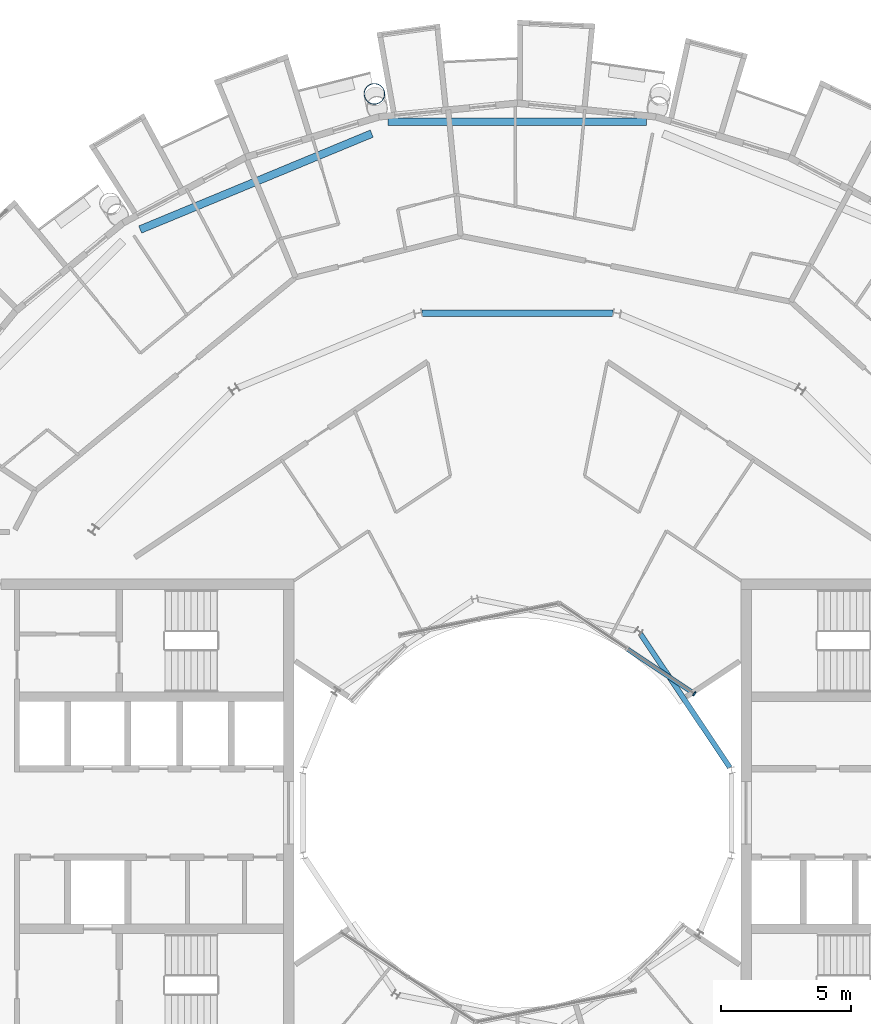
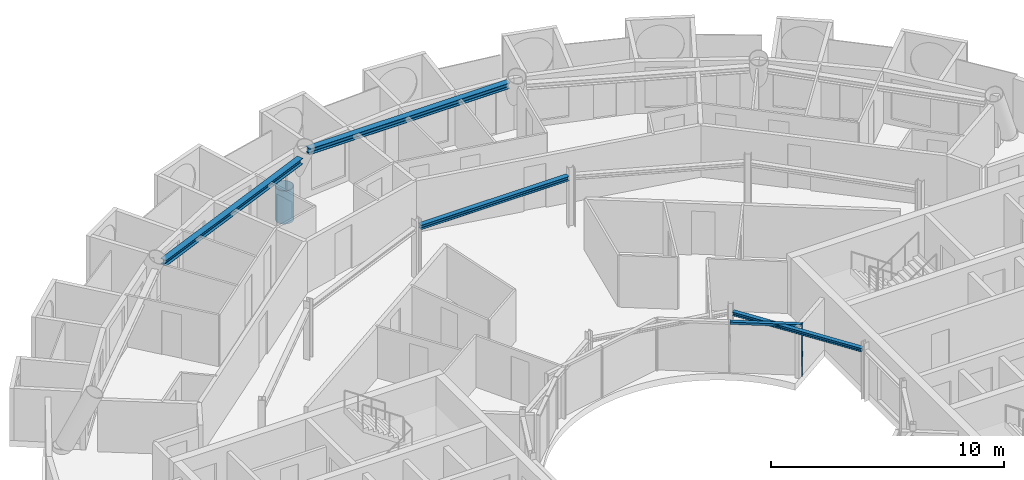
# One storey, part 10 of 28: 4 beams, 3 members, 1 element without a shape of its own.
"""IFC4 building model written with IfcOpenShell, lengths in metres."""

from ifc_helpers import new_model, si_unit, direction, frame, origin, origin_2d, place, context, subcontext, project, spatial, rectangle, hollow_circle, i_section, extrude, material, layer, layer_set, material_profile, profile_set, type_object, element, aggregate, save


model = new_model("IFC4")

# Units and contexts
model_context = context("Model", 3, precision=1e-05, world=origin(), true_north=direction((0.0, 1.0)))
body_context = subcontext(model_context, "Body", "Model", "MODEL_VIEW")
ifc_project = project(units=[si_unit("LENGTHUNIT", "METRE"), si_unit("AREAUNIT", "SQUARE_METRE"), si_unit("VOLUMEUNIT", "CUBIC_METRE"), si_unit("PLANEANGLEUNIT", "RADIAN"), si_unit("MASSUNIT", "GRAM", prefix="KILO")], contexts=[model_context])

# Site, building, storey
site_placement = place(None, origin())
site = spatial("IfcSite", under=ifc_project, at=site_placement, CompositionType="ELEMENT")
building_placement = place(site_placement, origin())
building = spatial("IfcBuilding", under=site, at=building_placement, Name="Maasbend Ring Residences", CompositionType="ELEMENT")
storey_placement = place(building_placement, frame((0.0, 0.0, 231.0)))
storey = spatial("IfcBuildingStorey", under=building, at=storey_placement, Name="L66", CompositionType="ELEMENT", Elevation=231.0)

# Curtain wall, members
ifc_material_1 = material(Name="Aluminium and clear glass", Category="aluminium")
ifc_layer = layer(ifc_material_1, 0.179931640625)
ifc_layer_set = layer_set([ifc_layer], Name="CW-W")
curtain_wall_type = type_object("IfcCurtainWallType", Name="CW-W", PredefinedType="NOTDEFINED", material=ifc_layer_set)
curtain_wall_placement = place(storey_placement, origin())
curtain_wall = element("IfcCurtainWall", 1, at=curtain_wall_placement, inside=storey, type_object=curtain_wall_type, Name="Well curtain wall N1", PredefinedType="NOTDEFINED")
ifc_material_2 = material(Name="Aluminium 6063-T6", Category="aluminium")
ifc_material_profile_1 = material_profile(ifc_material_2, rectangle(XDim=0.179931640625, YDim=0.06005859375, at=origin_2d()), Name="AL 180x60")
ifc_profile_set_1 = profile_set([ifc_material_profile_1], Name="Aluminium 6063-T6")
member_type_1 = type_object("IfcMemberType", Name="CWM-W", PredefinedType="MULLION", material=ifc_profile_set_1)
member_1_placement = place(storey_placement, frame((6.805908203125, 4.580810546875, 0.0), z_axis=(0.0, 0.0, 1.0), x_axis=(-0.55557023302, -0.831469612303, 0.0)))
member_1 = element("IfcMember", 2, at=member_1_placement, type_object=member_type_1, Name="Mullion well face", PredefinedType="MULLION", context=body_context, shape_type="SweptSolid", body=[
    extrude(rectangle(XDim=0.179931640625, YDim=0.06005859375, at=origin_2d()), origin(), (0.0, 0.0, 1.0), 2.699951171875),
])
ifc_material_3 = material(Name="Aluminium 6063-T6", Category="aluminium")
ifc_material_profile_2 = material_profile(ifc_material_3, rectangle(XDim=0.179931640625, YDim=0.1201171875, at=origin_2d()), Name="AL 180x120")
ifc_profile_set_2 = profile_set([ifc_material_profile_2], Name="Aluminium 6063-T6")
member_type_2 = type_object("IfcMemberType", Name="CWT-W", PredefinedType="USERDEFINED", material=ifc_profile_set_2)
member_2_placement = place(storey_placement, frame((6.781005859375, 4.59765625, 2.639892578125), z_axis=(-0.831496422459, 0.555530106689, 0.0), x_axis=(-0.555530106689, -0.831496422459, 0.0)))
member_2 = element("IfcMember", 3, at=member_2_placement, type_object=member_type_2, Name="Transom well face", ObjectType="TRANSOM", PredefinedType="USERDEFINED", context=body_context, shape_type="SweptSolid", body=[
    extrude(rectangle(XDim=0.179931640625, YDim=0.1201171875, at=origin_2d()), origin(), (0.0, 0.0, 1.0), 3.053955078125),
])
aggregate(curtain_wall, [member_1, member_2])

# Member
ifc_material_4 = material(Name="Steel S460NH", Category="steel")
ifc_material_profile_3 = material_profile(ifc_material_4, hollow_circle(Radius=0.406494140625, WallThickness=0.030029296875, at=origin_2d()), Name="Column node insert CHS 813x30")
ifc_profile_set_3 = profile_set([ifc_material_profile_3], Name="Steel S460NH")
member_type_3 = type_object("IfcMemberType", Name="Column node insert CHS 813x30", PredefinedType="POST", material=ifc_profile_set_3)
member_3_placement = place(storey_placement, frame((-5.50146484375, 27.658203125, -1.5), z_axis=(0.0, 0.0, 1.0), x_axis=(1.0, 0.0, 0.0)))
element("IfcMember", 4, at=member_3_placement, inside=storey, type_object=member_type_3, Name="Column node insert R5", PredefinedType="POST", context=body_context, shape_type="SweptSolid", body=[
    extrude(hollow_circle(Radius=0.406494140625, WallThickness=0.030029296875, at=origin_2d()), origin(), (0.0, 0.0, 1.0), 1.74169921875),
])

# Beams
ifc_material_5 = material(Name="Steel S355J2", Category="steel")
ifc_material_profile_4 = material_profile(ifc_material_5, i_section(OverallWidth=0.239990234375, OverallDepth=0.22998046875, WebThickness=0.007568359375, FlangeThickness=0.011962890625, FilletRadius=0.02099609375, at=origin_2d()), Name="HEA 240")
ifc_profile_set_4 = profile_set([ifc_material_profile_4], Name="Steel S355J2")
beam_type_1 = type_object("IfcBeamType", Name="Corridor ring beam HEA 240", PredefinedType="BEAM", material=ifc_profile_set_4)
beam_1_placement = place(storey_placement, frame((3.6708984375, 19.223388671875, 2.5849609375), z_axis=(-1.0, 0.0, 0.0), x_axis=(0.0, -1.0, 0.0)))
element("IfcBeam", 5, at=beam_1_placement, inside=storey, type_object=beam_type_1, Name="Corridor ring beam", PredefinedType="BEAM", context=body_context, shape_type="SweptSolid", body=[
    extrude(i_section(OverallWidth=0.239990234375, OverallDepth=0.22998046875, WebThickness=0.007568359375, FlangeThickness=0.011962890625, FilletRadius=0.02099609375, at=origin_2d()), origin(), (0.0, 0.0, 1.0), 7.341796875),
])
ifc_material_6 = material(Name="Steel S355J2", Category="steel")
ifc_material_profile_5 = material_profile(ifc_material_6, i_section(OverallWidth=0.300048828125, OverallDepth=0.300048828125, WebThickness=0.010986328125, FlangeThickness=0.01904296875, FilletRadius=0.027099609375, at=origin_2d()), Name="HEB 300")
ifc_profile_set_5 = profile_set([ifc_material_profile_5], Name="Steel S355J2")
beam_type_2 = type_object("IfcBeamType", Name="Spandrel ring beam HEB 300", PredefinedType="SPANDREL", material=ifc_profile_set_5)
beam_2_placement = place(storey_placement, frame((4.971923828125, 26.5849609375, 2.550048828125), z_axis=(-1.0, 0.0, 0.0), x_axis=(0.0, -1.0, 0.0)))
element("IfcBeam", 6, at=beam_2_placement, inside=storey, type_object=beam_type_2, Name="Spandrel ring beam", PredefinedType="SPANDREL", context=body_context, shape_type="SweptSolid", body=[
    extrude(i_section(OverallWidth=0.300048828125, OverallDepth=0.300048828125, WebThickness=0.010986328125, FlangeThickness=0.01904296875, FilletRadius=0.027099609375, at=origin_2d()), origin(), (0.0, 0.0, 1.0), 9.94384765625),
])
beam_3_placement = place(storey_placement, frame((-5.60400390625, 26.12939453125, 2.550048828125), z_axis=(-0.92388230488, -0.382676739206, 0.0), x_axis=(0.382676739206, -0.92388230488, 0.0)))
element("IfcBeam", 7, at=beam_3_placement, inside=storey, type_object=beam_type_2, Name="Spandrel ring beam", PredefinedType="SPANDREL", context=body_context, shape_type="SweptSolid", body=[
    extrude(i_section(OverallWidth=0.300048828125, OverallDepth=0.300048828125, WebThickness=0.010986328125, FlangeThickness=0.01904296875, FilletRadius=0.027099609375, at=origin_2d()), origin(), (0.0, 0.0, 1.0), 9.643798828125),
])
ifc_material_7 = material(Name="Steel S355J2", Category="steel")
ifc_material_profile_6 = material_profile(ifc_material_7, i_section(OverallWidth=0.199951171875, OverallDepth=0.18994140625, WebThickness=0.006591796875, FlangeThickness=0.010009765625, FilletRadius=0.01806640625, at=origin_2d()), Name="HEA 200")
ifc_profile_set_6 = profile_set([ifc_material_profile_6], Name="Steel S355J2")
beam_type_3 = type_object("IfcBeamType", Name="Well edge beam HEA 200", PredefinedType="BEAM", material=ifc_profile_set_6)
beam_4_placement = place(storey_placement, frame((8.16943359375, 1.7421875, 2.60498046875), z_axis=(-0.555547729421, 0.831484648286, 0.0), x_axis=(-0.831484648286, -0.555547729421, 0.0)))
element("IfcBeam", 8, at=beam_4_placement, inside=storey, type_object=beam_type_3, Name="Well edge beam", PredefinedType="BEAM", context=body_context, shape_type="SweptSolid", body=[
    extrude(i_section(OverallWidth=0.199951171875, OverallDepth=0.18994140625, WebThickness=0.006591796875, FlangeThickness=0.010009765625, FilletRadius=0.01806640625, at=origin_2d()), origin(), (0.0, 0.0, 1.0), 6.18017578125),
])

save(model, "model.ifc")
